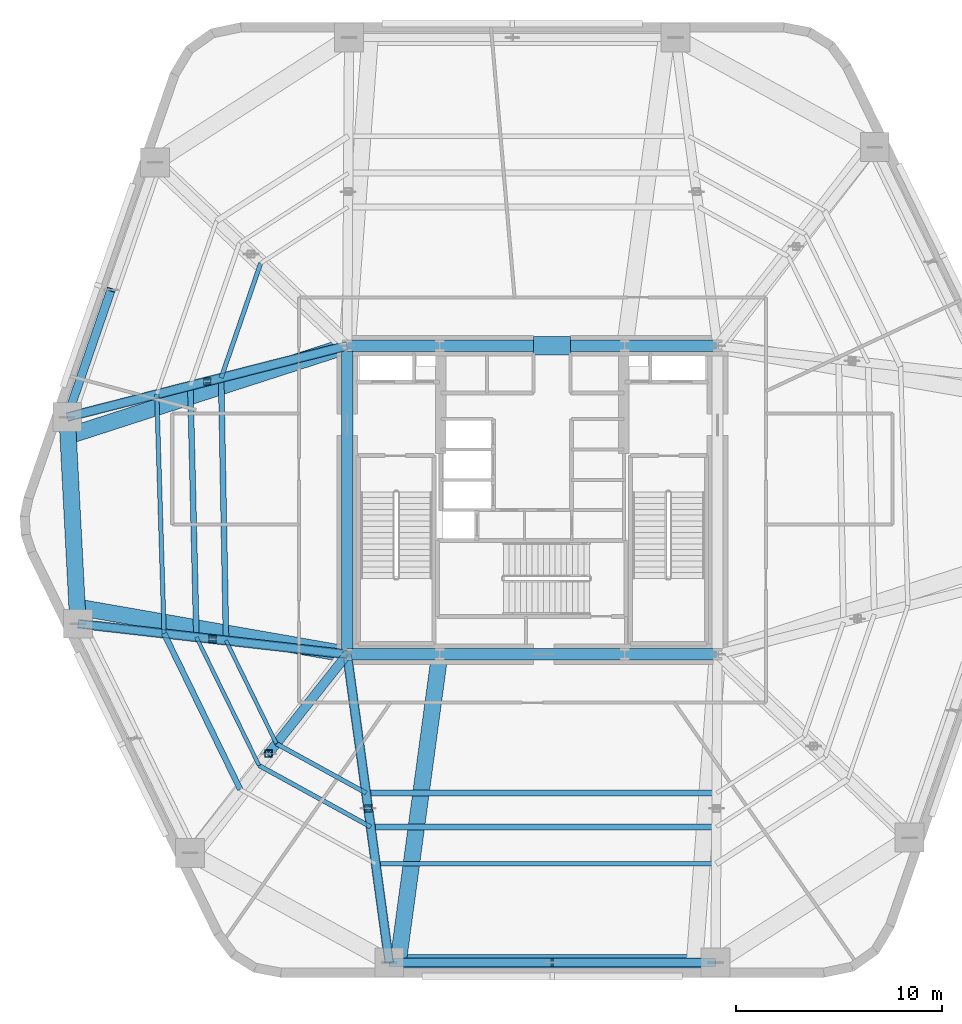
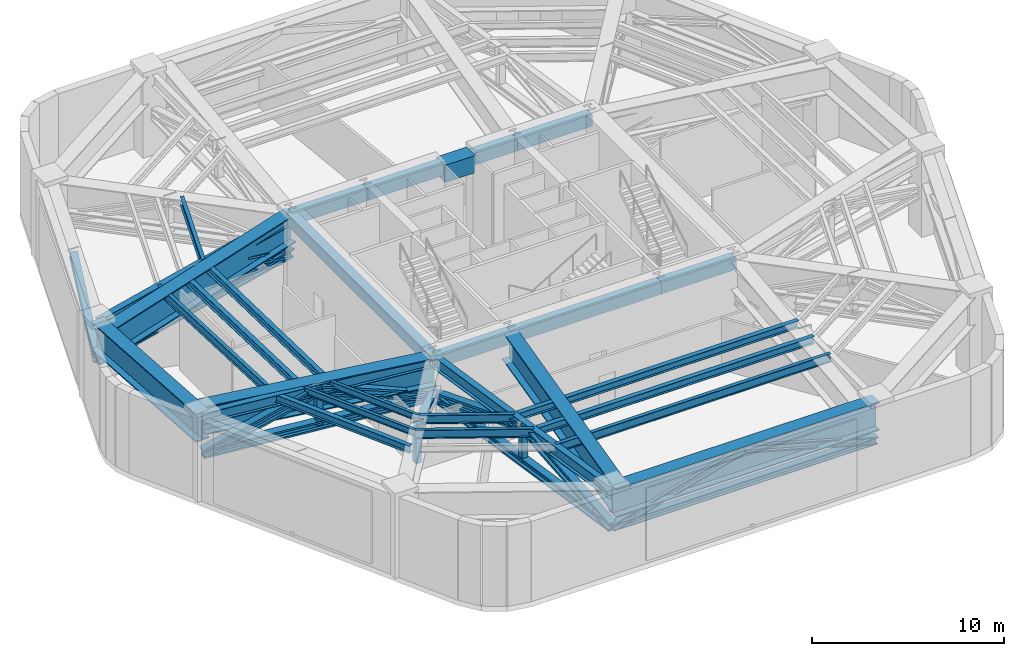
# One storey, part 2 of 11: 28 beams, 18 members.
"""IFC4 building model written with IfcOpenShell, lengths in metres."""

from ifc_helpers import new_model, si_unit, direction, frame, origin, origin_2d, place, context, subcontext, project, spatial, rectangle, hollow_rectangle, i_section, extrude, material, material_profile, profile_set, type_object, element, save


model = new_model("IFC4")

# Units and contexts
model_context = context("Model", 3, precision=1e-05, world=origin(), true_north=direction((0.0, 1.0)))
body_context = subcontext(model_context, "Body", "Model", "MODEL_VIEW")
ifc_project = project(units=[si_unit("LENGTHUNIT", "METRE"), si_unit("AREAUNIT", "SQUARE_METRE"), si_unit("VOLUMEUNIT", "CUBIC_METRE"), si_unit("PLANEANGLEUNIT", "RADIAN"), si_unit("MASSUNIT", "GRAM", prefix="KILO")], contexts=[model_context])

# Site, building, storey
site_placement = place(None, origin())
site = spatial("IfcSite", under=ifc_project, at=site_placement, CompositionType="ELEMENT")
building_placement = place(site_placement, origin())
building = spatial("IfcBuilding", under=site, at=building_placement, Name="Kilnhurst Terrace Hotel", CompositionType="ELEMENT")
storey_placement = place(building_placement, frame((0.0, 0.0, 86.0)))
storey = spatial("IfcBuildingStorey", under=building, at=storey_placement, Name="L20", CompositionType="ELEMENT", Elevation=86.0)

# Beams
ifc_material_1 = material(Name="Concrete C50/60", Category="concrete")
ifc_material_profile_1 = material_profile(ifc_material_1, rectangle(XDim=0.550048828125, YDim=0.75, at=origin_2d()), Name="RC550X750")
ifc_profile_set_1 = profile_set([ifc_material_profile_1], Name="Concrete C50/60")
beam_type_1 = type_object("IfcBeamType", Name="BM-SPN-550X750", PredefinedType="SPANDREL", material=ifc_profile_set_1)
beam_1_placement = place(storey_placement, frame((-9.0, 7.5, 4.72509765625), z_axis=(1.0, 0.0, 0.0), x_axis=(0.0, 1.0, 0.0)))
element("IfcBeam", 1, at=beam_1_placement, inside=storey, type_object=beam_type_1, Name="L20 Core Tie Beam CC-NW to CC-NC1", PredefinedType="SPANDREL", context=body_context, shape_type="SweptSolid", body=[
    extrude(rectangle(XDim=0.550048828125, YDim=0.75, at=origin_2d()), origin(), (0.0, 0.0, 1.0), 4.5),
])
beam_2_placement = place(storey_placement, frame((-4.5, 7.5, 4.72509765625), z_axis=(1.0, 0.0, 0.0), x_axis=(0.0, 1.0, 0.0)))
element("IfcBeam", 2, at=beam_2_placement, inside=storey, type_object=beam_type_1, Name="L20 Core Tie Beam CC-NC1 to CC-NC2", PredefinedType="SPANDREL", context=body_context, shape_type="SweptSolid", body=[
    extrude(rectangle(XDim=0.550048828125, YDim=0.75, at=origin_2d()), origin(), (0.0, 0.0, 1.0), 9.0),
])
for number, where, z_axis, x_axis, name in (
    (3, (4.5, 7.5, 4.72509765625), (1.0, 0.0, 0.0), (0.0, 1.0, 0.0), "L20 Core Tie Beam CC-NC2 to CC-NE"),
    (4, (-9.0, -7.5, 4.72509765625), (1.0, 0.0, 0.0), (0.0, 1.0, 0.0), "L20 Core Tie Beam CC-SW to CC-SC1"),
):
    element("IfcBeam", number, at=place(storey_placement, frame(where, z_axis=z_axis, x_axis=x_axis)), inside=storey, type_object=beam_type_1, Name=name, PredefinedType="SPANDREL", context=body_context, shape_type="SweptSolid", body=[
        extrude(rectangle(XDim=0.550048828125, YDim=0.75, at=origin_2d()), origin(), (0.0, 0.0, 1.0), 4.5),
    ])
beam_3_placement = place(storey_placement, frame((-4.5, -7.5, 4.72509765625), z_axis=(1.0, 0.0, 0.0), x_axis=(0.0, 1.0, 0.0)))
element("IfcBeam", 5, at=beam_3_placement, inside=storey, type_object=beam_type_1, Name="L20 Core Tie Beam CC-SC1 to CC-SC2", PredefinedType="SPANDREL", context=body_context, shape_type="SweptSolid", body=[
    extrude(rectangle(XDim=0.550048828125, YDim=0.75, at=origin_2d()), origin(), (0.0, 0.0, 1.0), 9.0),
])
beam_4_placement = place(storey_placement, frame((4.5, -7.5, 4.72509765625), z_axis=(1.0, 0.0, 0.0), x_axis=(0.0, 1.0, 0.0)))
element("IfcBeam", 6, at=beam_4_placement, inside=storey, type_object=beam_type_1, Name="L20 Core Tie Beam CC-SC2 to CC-SE", PredefinedType="SPANDREL", context=body_context, shape_type="SweptSolid", body=[
    extrude(rectangle(XDim=0.550048828125, YDim=0.75, at=origin_2d()), origin(), (0.0, 0.0, 1.0), 4.5),
])
beam_5_placement = place(storey_placement, frame((-9.0, -7.5, 4.72509765625), z_axis=(0.0, 1.0, 0.0), x_axis=(-1.0, 0.0, 0.0)))
element("IfcBeam", 7, at=beam_5_placement, inside=storey, type_object=beam_type_1, Name="L20 Core Tie Beam CC-SW to CC-NW", PredefinedType="SPANDREL", context=body_context, shape_type="SweptSolid", body=[
    extrude(rectangle(XDim=0.550048828125, YDim=0.75, at=origin_2d()), origin(), (0.0, 0.0, 1.0), 15.0),
])
ifc_material_2 = material(Name="Steel ASTM A992 Grade 50", Category="steel")
ifc_material_profile_2 = material_profile(ifc_material_2, i_section(OverallWidth=0.354736328125, OverallDepth=0.695556640625, WebThickness=0.015380859375, FlangeThickness=0.025146484375, at=origin_2d()), Name="W27X146")
ifc_profile_set_2 = profile_set([ifc_material_profile_2], Name="Steel ASTM A992 Grade 50")
beam_type_2 = type_object("IfcBeamType", Name="BM-STL-W27X146", PredefinedType="BEAM", material=ifc_profile_set_2)
beam_6_placement = place(storey_placement, frame((-9.0, -7.5, 4.751953125), z_axis=(-0.993611493249, 0.112854776075, 0.0), x_axis=(-0.112854776075, -0.993611493249, 0.0)))
element("IfcBeam", 8, at=beam_6_placement, inside=storey, type_object=beam_type_2, Name="L20 Radial Floor Beam 11", PredefinedType="BEAM", context=body_context, shape_type="SweptSolid", body=[
    extrude(i_section(OverallWidth=0.354736328125, OverallDepth=0.695556640625, WebThickness=0.015380859375, FlangeThickness=0.025146484375, at=origin_2d()), origin(), (0.0, 0.0, 1.0), 13.168212890625),
])
ifc_material_profile_3 = material_profile(ifc_material_2, i_section(OverallWidth=0.380615234375, OverallDepth=0.773193359375, WebThickness=0.0166015625, FlangeThickness=0.027099609375, at=origin_2d()), Name="W30X173")
ifc_profile_set_3 = profile_set([ifc_material_profile_3], Name="Steel ASTM A992 Grade 50")
beam_type_3 = type_object("IfcBeamType", Name="BM-STL-W30X173", PredefinedType="BEAM", material=ifc_profile_set_3)
beam_7_placement = place(storey_placement, frame((-9.0, -7.5, 4.712890625), z_axis=(0.13525588246, -0.990810701527, 0.0), x_axis=(0.990810701527, 0.13525588246, 0.0)))
element("IfcBeam", 9, at=beam_7_placement, inside=storey, type_object=beam_type_3, Name="L20 Radial Floor Beam 1", PredefinedType="BEAM", context=body_context, shape_type="SweptSolid", body=[
    extrude(i_section(OverallWidth=0.380615234375, OverallDepth=0.773193359375, WebThickness=0.0166015625, FlangeThickness=0.027099609375, at=origin_2d()), origin(), (0.0, 0.0, 1.0), 15.118896484375),
])
beam_8_placement = place(storey_placement, frame((-9.0, 7.5, 4.712890625), z_axis=(-0.968980179812, -0.247138445273, 0.0), x_axis=(0.247138445273, -0.968980179812, 0.0)))
element("IfcBeam", 10, at=beam_8_placement, inside=storey, type_object=beam_type_3, Name="L20 Radial Floor Beam 10", PredefinedType="BEAM", context=body_context, shape_type="SweptSolid", body=[
    extrude(i_section(OverallWidth=0.380615234375, OverallDepth=0.773193359375, WebThickness=0.0166015625, FlangeThickness=0.027099609375, at=origin_2d()), origin(), (0.0, 0.0, 1.0), 14.04443359375),
])
ifc_material_profile_4 = material_profile(ifc_material_2, i_section(OverallWidth=0.180908203125, OverallDepth=0.417236328125, WebThickness=0.010986328125, FlangeThickness=0.018310546875, at=origin_2d()), Name="W16X57")
ifc_profile_set_4 = profile_set([ifc_material_profile_4], Name="Steel ASTM A992 Grade 50")
beam_type_4 = type_object("IfcBeamType", Name="JST-STL-W16X57", PredefinedType="JOIST", material=ifc_profile_set_4)
beam_9_placement = place(storey_placement, frame((-14.8876953125, -6.831298828125, 4.89111328125), z_axis=(0.438896112695, -0.898537813484, 0.0), x_axis=(0.898537813484, 0.438896112695, 0.0)))
element("IfcBeam", 11, at=beam_9_placement, inside=storey, type_object=beam_type_4, Name="L20 Secondary Floor Steel Joist IN.11", PredefinedType="JOIST", context=body_context, shape_type="SweptSolid", body=[
    extrude(i_section(OverallWidth=0.180908203125, OverallDepth=0.417236328125, WebThickness=0.010986328125, FlangeThickness=0.018310546875, at=origin_2d()), origin(), (0.0, 0.0, 1.0), 5.578125),
])
beam_10_placement = place(storey_placement, frame((-16.326904296875, -6.667724609375, 4.89111328125), z_axis=(0.438922469067, -0.89852493908, 0.0), x_axis=(0.89852493908, 0.438922469067, 0.0)))
element("IfcBeam", 12, at=beam_10_placement, inside=storey, type_object=beam_type_4, Name="L20 Secondary Floor Steel Joist MID.11", PredefinedType="JOIST", context=body_context, shape_type="SweptSolid", body=[
    extrude(i_section(OverallWidth=0.180908203125, OverallDepth=0.417236328125, WebThickness=0.010986328125, FlangeThickness=0.018310546875, at=origin_2d()), origin(), (0.0, 0.0, 1.0), 6.941650390625),
])
ifc_material_profile_5 = material_profile(ifc_material_2, i_section(OverallWidth=0.279296875, OverallDepth=0.462890625, WebThickness=0.0107421875, FlangeThickness=0.017333984375, at=origin_2d()), Name="W18X76")
ifc_profile_set_5 = profile_set([ifc_material_profile_5], Name="Steel ASTM A992 Grade 50")
beam_type_5 = type_object("IfcBeamType", Name="JST-STL-W18X76", PredefinedType="JOIST", material=ifc_profile_set_5)
beam_11_placement = place(storey_placement, frame((-17.897216796875, -6.489501953125, 4.867919921875), z_axis=(0.438934275949, -0.898519171413, 0.0), x_axis=(0.898519171413, 0.438934275949, 0.0)))
element("IfcBeam", 13, at=beam_11_placement, inside=storey, type_object=beam_type_5, Name="L20 Secondary Floor Steel Joist OUT.11", PredefinedType="JOIST", context=body_context, shape_type="SweptSolid", body=[
    extrude(i_section(OverallWidth=0.279296875, OverallDepth=0.462890625, WebThickness=0.0107421875, FlangeThickness=0.017333984375, at=origin_2d()), origin(), (0.0, 0.0, 1.0), 8.429443359375),
])
beam_12_placement = place(storey_placement, frame((-8.079833984375, -14.240966796875, 4.867919921875), z_axis=(1.0, 0.0, 0.0), x_axis=(0.0, 1.0, 0.0)))
element("IfcBeam", 14, at=beam_12_placement, inside=storey, type_object=beam_type_5, Name="L20 Secondary Floor Steel Joist IN.1", PredefinedType="JOIST", context=body_context, shape_type="SweptSolid", body=[
    extrude(i_section(OverallWidth=0.279296875, OverallDepth=0.462890625, WebThickness=0.0107421875, FlangeThickness=0.017333984375, at=origin_2d()), origin(), (0.0, 0.0, 1.0), 17.037109375),
])
beam_13_placement = place(storey_placement, frame((-15.1240234375, 5.93798828125, 4.867919921875), z_axis=(0.018504373716, -0.999828779418, 0.0), x_axis=(0.999828779418, 0.018504373716, 0.0)))
element("IfcBeam", 15, at=beam_13_placement, inside=storey, type_object=beam_type_5, Name="L20 Secondary Floor Steel Joist IN.10", PredefinedType="JOIST", context=body_context, shape_type="SweptSolid", body=[
    extrude(i_section(OverallWidth=0.279296875, OverallDepth=0.462890625, WebThickness=0.0107421875, FlangeThickness=0.017333984375, at=origin_2d()), origin(), (0.0, 0.0, 1.0), 12.771484375),
])
beam_14_placement = place(storey_placement, frame((-7.854736328125, -15.888916015625, 4.867919921875), z_axis=(1.0, 0.0, 0.0), x_axis=(0.0, 1.0, 0.0)))
element("IfcBeam", 16, at=beam_14_placement, inside=storey, type_object=beam_type_5, Name="L20 Secondary Floor Steel Joist MID.1", PredefinedType="JOIST", context=body_context, shape_type="SweptSolid", body=[
    extrude(i_section(OverallWidth=0.279296875, OverallDepth=0.462890625, WebThickness=0.0107421875, FlangeThickness=0.017333984375, at=origin_2d()), origin(), (0.0, 0.0, 1.0), 16.801513671875),
])
beam_15_placement = place(storey_placement, frame((-16.62109375, 5.55615234375, 4.867919921875), z_axis=(0.024059820994, -0.999710520608, 0.0), x_axis=(0.999710520608, 0.024059820994, 0.0)))
element("IfcBeam", 17, at=beam_15_placement, inside=storey, type_object=beam_type_5, Name="L20 Secondary Floor Steel Joist MID.10", PredefinedType="JOIST", context=body_context, shape_type="SweptSolid", body=[
    extrude(i_section(OverallWidth=0.279296875, OverallDepth=0.462890625, WebThickness=0.0107421875, FlangeThickness=0.017333984375, at=origin_2d()), origin(), (0.0, 0.0, 1.0), 12.227294921875),
])
ifc_material_profile_6 = material_profile(ifc_material_2, i_section(OverallWidth=0.2138671875, OverallDepth=0.549072265625, WebThickness=0.0146484375, FlangeThickness=0.023681640625, at=origin_2d()), Name="W21X93")
ifc_profile_set_6 = profile_set([ifc_material_profile_6], Name="Steel ASTM A992 Grade 50")
beam_type_6 = type_object("IfcBeamType", Name="JST-STL-W21X93", PredefinedType="JOIST", material=ifc_profile_set_6)
beam_16_placement = place(storey_placement, frame((-7.609375, -17.686279296875, 4.824951171875), z_axis=(1.0, 0.0, 0.0), x_axis=(0.0, 1.0, 0.0)))
element("IfcBeam", 18, at=beam_16_placement, inside=storey, type_object=beam_type_6, Name="L20 Secondary Floor Steel Joist OUT.1", PredefinedType="JOIST", context=body_context, shape_type="SweptSolid", body=[
    extrude(i_section(OverallWidth=0.2138671875, OverallDepth=0.549072265625, WebThickness=0.0146484375, FlangeThickness=0.023681640625, at=origin_2d()), origin(), (0.0, 0.0, 1.0), 16.544677734375),
])
beam_17_placement = place(storey_placement, frame((-18.254150390625, 5.1396484375, 4.824951171875), z_axis=(0.030678559818, -0.999529302206, 0.0), x_axis=(0.999529302206, 0.030678559818, 0.0)))
element("IfcBeam", 19, at=beam_17_placement, inside=storey, type_object=beam_type_6, Name="L20 Secondary Floor Steel Joist OUT.10", PredefinedType="JOIST", context=body_context, shape_type="SweptSolid", body=[
    extrude(i_section(OverallWidth=0.2138671875, OverallDepth=0.549072265625, WebThickness=0.0146484375, FlangeThickness=0.023681640625, at=origin_2d()), origin(), (0.0, 0.0, 1.0), 11.634521484375),
])
beam_18_placement = place(storey_placement, frame((-13.2021484375, 11.510009765625, 4.824951171875), z_axis=(-0.326064720391, -0.945347448358, 0.0), x_axis=(0.945347448358, -0.326064720391, 0.0)))
element("IfcBeam", 20, at=beam_18_placement, inside=storey, type_object=beam_type_6, Name="L20 Secondary Floor Steel Joist IN.9", PredefinedType="JOIST", context=body_context, shape_type="SweptSolid", body=[
    extrude(i_section(OverallWidth=0.2138671875, OverallDepth=0.549072265625, WebThickness=0.0146484375, FlangeThickness=0.023681640625, at=origin_2d()), origin(), (0.0, 0.0, 1.0), 5.89404296875),
])
beam_19_placement = place(storey_placement, frame((-12.439453125, -11.843505859375, 4.824951171875), z_axis=(0.876243879955, -0.481867889408, 0.0), x_axis=(0.481867889408, 0.876243879955, 0.0)))
element("IfcBeam", 21, at=beam_19_placement, inside=storey, type_object=beam_type_6, Name="L20 Secondary Floor Steel Joist IN.12", PredefinedType="JOIST", context=body_context, shape_type="SweptSolid", body=[
    extrude(i_section(OverallWidth=0.2138671875, OverallDepth=0.549072265625, WebThickness=0.0146484375, FlangeThickness=0.023681640625, at=origin_2d()), origin(), (0.0, 0.0, 1.0), 4.975341796875),
])
beam_20_placement = place(storey_placement, frame((-13.280029296875, -12.905029296875, 4.824951171875), z_axis=(0.87621757367, -0.4819157225, 0.0), x_axis=(0.4819157225, 0.87621757367, 0.0)))
element("IfcBeam", 22, at=beam_20_placement, inside=storey, type_object=beam_type_6, Name="L20 Secondary Floor Steel Joist MID.12", PredefinedType="JOIST", context=body_context, shape_type="SweptSolid", body=[
    extrude(i_section(OverallWidth=0.2138671875, OverallDepth=0.549072265625, WebThickness=0.0146484375, FlangeThickness=0.023681640625, at=origin_2d()), origin(), (0.0, 0.0, 1.0), 6.191650390625),
])
ifc_material_3 = material(Name="Concrete C80/95", Category="concrete")
ifc_material_profile_7 = material_profile(ifc_material_3, rectangle(XDim=0.89990234375, YDim=1.10009765625, at=origin_2d()), Name="RC900X1100")
ifc_profile_set_7 = profile_set([ifc_material_profile_7], Name="Concrete C80/95")
beam_type_7 = type_object("IfcBeamType", Name="LNT-CB-900X1100", PredefinedType="LINTEL", material=ifc_profile_set_7)
beam_21_placement = place(storey_placement, frame((0.050048828125, 7.5, 4.550048828125), z_axis=(1.0, 0.0, 0.0), x_axis=(0.0, 1.0, 0.0)))
element("IfcBeam", 23, at=beam_21_placement, inside=storey, type_object=beam_type_7, Name="L20 North Core Coupling Link Beam", PredefinedType="LINTEL", context=body_context, shape_type="SweptSolid", body=[
    extrude(rectangle(XDim=0.89990234375, YDim=1.10009765625, at=origin_2d()), origin(), (0.0, 0.0, 1.0), 1.800048828125),
])

# Members
ifc_material_profile_8 = material_profile(ifc_material_2, i_section(OverallWidth=0.41845703125, OverallDepth=0.455078125, WebThickness=0.0419921875, FlangeThickness=0.067626953125, at=origin_2d()), Name="W14X370")
ifc_profile_set_8 = profile_set([ifc_material_profile_8], Name="Steel ASTM A992 Grade 50")
member_type_1 = type_object("IfcMemberType", Name="MEM-BLT-DIAG-370", PredefinedType="BRACE", material=ifc_profile_set_8)
member_1_placement = place(storey_placement, frame((-6.955078125, -22.47998046875, 2.52001953125), z_axis=(0.962663008488, 0.0, 0.270702663615), x_axis=(0.0, 1.0, 0.0)))
element("IfcMember", 24, at=member_1_placement, inside=storey, type_object=member_type_1, Name="L20 Belt Truss Left Diagonal 1", PredefinedType="BRACE", context=body_context, shape_type="SweptSolid", body=[
    extrude(i_section(OverallWidth=0.41845703125, OverallDepth=0.455078125, WebThickness=0.0419921875, FlangeThickness=0.067626953125, at=origin_2d()), origin(), (0.0, 0.0, 1.0), 8.23779296875),
])
member_2_placement = place(storey_placement, frame((8.905029296875, -22.47998046875, 2.52001953125), z_axis=(-0.962660836612, 0.0, 0.270710387045), x_axis=(0.0, -1.0, 0.0)))
element("IfcMember", 25, at=member_2_placement, inside=storey, type_object=member_type_1, Name="L20 Belt Truss Right Diagonal 1", PredefinedType="BRACE", context=body_context, shape_type="SweptSolid", body=[
    extrude(i_section(OverallWidth=0.41845703125, OverallDepth=0.455078125, WebThickness=0.0419921875, FlangeThickness=0.067626953125, at=origin_2d()), origin(), (0.0, 0.0, 1.0), 8.237548828125),
])
member_3_placement = place(storey_placement, frame((-22.60888671875, 4.029052734375, 2.52001953125), z_axis=(0.308585265865, 0.894911387443, 0.322348789846), x_axis=(-0.94537456636, 0.325986087556, 0.0)))
element("IfcMember", 26, at=member_3_placement, inside=storey, type_object=member_type_1, Name="L20 Belt Truss Right Diagonal 5", PredefinedType="BRACE", context=body_context, shape_type="SweptSolid", body=[
    extrude(i_section(OverallWidth=0.41845703125, OverallDepth=0.455078125, WebThickness=0.0419921875, FlangeThickness=0.067626953125, at=origin_2d()), origin(), (0.0, 0.0, 1.0), 6.91796875),
])
ifc_material_profile_9 = material_profile(ifc_material_2, i_section(OverallWidth=0.40625, OverallDepth=0.416015625, WebThickness=0.02978515625, FlangeThickness=0.048095703125, at=origin_2d()), Name="W14X257")
ifc_profile_set_9 = profile_set([ifc_material_profile_9], Name="Steel ASTM A992 Grade 50")
member_type_2 = type_object("IfcMemberType", Name="MEM-CHD-W14X257", PredefinedType="CHORD", material=ifc_profile_set_9)
member_4_placement = place(storey_placement, frame((-6.955078125, -22.47998046875, 2.52001953125), z_axis=(1.0, 0.0, 0.0), x_axis=(0.0, 1.0, 0.0)))
element("IfcMember", 27, at=member_4_placement, inside=storey, type_object=member_type_2, Name="L20 Belt Truss Bottom Chord 1", PredefinedType="CHORD", context=body_context, shape_type="SweptSolid", body=[
    extrude(i_section(OverallWidth=0.40625, OverallDepth=0.416015625, WebThickness=0.02978515625, FlangeThickness=0.048095703125, at=origin_2d()), origin(), (0.0, 0.0, 1.0), 15.860107421875),
])
ifc_material_profile_10 = material_profile(ifc_material_2, i_section(OverallWidth=0.44189453125, OverallDepth=0.531494140625, WebThickness=0.06591796875, FlangeThickness=0.105712890625, at=origin_2d()), Name="W14X605")
ifc_profile_set_10 = profile_set([ifc_material_profile_10], Name="Steel ASTM A992 Grade 50")
member_type_3 = type_object("IfcMemberType", Name="MEM-CHD-W14X605", PredefinedType="CHORD", material=ifc_profile_set_10)
member_5_placement = place(storey_placement, frame((-9.0, -7.5, 2.52001953125), z_axis=(0.13525588246, -0.990810701527, 0.0), x_axis=(0.990810701527, 0.13525588246, 0.0)))
element("IfcMember", 28, at=member_5_placement, inside=storey, type_object=member_type_3, Name="L20 Outrigger Bottom Chord 1", PredefinedType="CHORD", context=body_context, shape_type="SweptSolid", body=[
    extrude(i_section(OverallWidth=0.44189453125, OverallDepth=0.531494140625, WebThickness=0.06591796875, FlangeThickness=0.105712890625, at=origin_2d()), origin(), (0.0, 0.0, 1.0), 15.118896484375),
])
member_6_placement = place(storey_placement, frame((-9.0, 7.5, 2.52001953125), z_axis=(-0.968980179812, -0.247138445273, 0.0), x_axis=(0.247138445273, -0.968980179812, 0.0)))
element("IfcMember", 29, at=member_6_placement, inside=storey, type_object=member_type_3, Name="L20 Outrigger Bottom Chord 10", PredefinedType="CHORD", context=body_context, shape_type="SweptSolid", body=[
    extrude(i_section(OverallWidth=0.44189453125, OverallDepth=0.531494140625, WebThickness=0.06591796875, FlangeThickness=0.105712890625, at=origin_2d()), origin(), (0.0, 0.0, 1.0), 14.04443359375),
])
member_7_placement = place(storey_placement, frame((-9.0, -7.5, 2.52001953125), z_axis=(-0.993611493249, 0.112854776075, 0.0), x_axis=(-0.112854776075, -0.993611493249, 0.0)))
element("IfcMember", 30, at=member_7_placement, inside=storey, type_object=member_type_3, Name="L20 Outrigger Bottom Chord 11", PredefinedType="CHORD", context=body_context, shape_type="SweptSolid", body=[
    extrude(i_section(OverallWidth=0.44189453125, OverallDepth=0.531494140625, WebThickness=0.06591796875, FlangeThickness=0.105712890625, at=origin_2d()), origin(), (0.0, 0.0, 1.0), 13.168212890625),
])
ifc_material_profile_11 = material_profile(ifc_material_2, i_section(OverallWidth=0.454345703125, OverallDepth=0.569091796875, WebThickness=0.077880859375, FlangeThickness=0.124755859375, at=origin_2d()), Name="W14X730")
ifc_profile_set_11 = profile_set([ifc_material_profile_11], Name="Steel ASTM A992 Grade 50")
member_type_4 = type_object("IfcMemberType", Name="MEM-OTR-DIAG-730", PredefinedType="BRACE", material=ifc_profile_set_11)
member_8_placement = place(storey_placement, frame((-9.0, -7.5, 2.52001953125), z_axis=(0.129668163194, -0.950331958582, 0.28294051663), x_axis=(0.990819355754, 0.135192471175, 0.0)))
element("IfcMember", 31, at=member_8_placement, inside=storey, type_object=member_type_4, Name="L20 Outrigger Inner Diagonal 1", PredefinedType="BRACE", context=body_context, shape_type="SweptSolid", body=[
    extrude(i_section(OverallWidth=0.454345703125, OverallDepth=0.569091796875, WebThickness=0.077880859375, FlangeThickness=0.124755859375, at=origin_2d()), origin(), (0.0, 0.0, 1.0), 7.88134765625),
])
member_9_placement = place(storey_placement, frame((-7.97802734375, -14.989990234375, 4.75), z_axis=(0.129789983424, -0.950316682929, -0.282935968639), x_axis=(0.990802043392, 0.135319292083, 0.0)))
element("IfcMember", 32, at=member_9_placement, inside=storey, type_object=member_type_4, Name="L20 Outrigger Outer Diagonal 1", PredefinedType="BRACE", context=body_context, shape_type="SweptSolid", body=[
    extrude(i_section(OverallWidth=0.454345703125, OverallDepth=0.569091796875, WebThickness=0.077880859375, FlangeThickness=0.124755859375, at=origin_2d()), origin(), (0.0, 0.0, 1.0), 7.881591796875),
])
member_10_placement = place(storey_placement, frame((-9.0, 7.5, 2.52001953125), z_axis=(-0.923524171948, -0.235610820031, 0.302639464233), x_axis=(0.247203395557, -0.96896361192, 0.0)))
element("IfcMember", 33, at=member_10_placement, inside=storey, type_object=member_type_4, Name="L20 Outrigger Inner Diagonal 10", PredefinedType="BRACE", context=body_context, shape_type="SweptSolid", body=[
    extrude(i_section(OverallWidth=0.454345703125, OverallDepth=0.569091796875, WebThickness=0.077880859375, FlangeThickness=0.124755859375, at=origin_2d()), origin(), (0.0, 0.0, 1.0), 7.368408203125),
])
member_11_placement = place(storey_placement, frame((-15.804931640625, 5.763916015625, 4.75), z_axis=(-0.923540717569, -0.23548316549, -0.302688324456), x_axis=(0.247073482334, -0.968996746294, 0.0)))
element("IfcMember", 34, at=member_11_placement, inside=storey, type_object=member_type_4, Name="L20 Outrigger Outer Diagonal 10", PredefinedType="BRACE", context=body_context, shape_type="SweptSolid", body=[
    extrude(i_section(OverallWidth=0.454345703125, OverallDepth=0.569091796875, WebThickness=0.077880859375, FlangeThickness=0.124755859375, at=origin_2d()), origin(), (0.0, 0.0, 1.0), 7.3671875),
])
for number, where, z_axis, x_axis, name in (
    (35, (-9.0, -7.5, 2.52001953125), (-0.94109995383, 0.106872934748, 0.320794408803), (-0.112836471855, -0.993613572079, 0.0), "L20 Outrigger Inner Diagonal 11"),
    (36, (-15.5419921875, -6.757080078125, 4.75), (-0.941096420875, 0.106907654319, -0.320793204518), (-0.11287308018, -0.993609414091, 0.0), "L20 Outrigger Outer Diagonal 11"),
):
    element("IfcMember", number, at=place(storey_placement, frame(where, z_axis=z_axis, x_axis=x_axis)), inside=storey, type_object=member_type_4, Name=name, PredefinedType="BRACE", context=body_context, shape_type="SweptSolid", body=[
        extrude(i_section(OverallWidth=0.454345703125, OverallDepth=0.569091796875, WebThickness=0.077880859375, FlangeThickness=0.124755859375, at=origin_2d()), origin(), (0.0, 0.0, 1.0), 6.951416015625),
    ])
member_12_placement = place(storey_placement, frame((-9.0, -7.5, 2.52001953125), z_axis=(-0.58373424017, -0.737060027176, 0.340583107615), x_axis=(0.783927596889, -0.620852255239, 0.0)))
element("IfcMember", 37, at=member_12_placement, inside=storey, type_object=member_type_4, Name="L20 Outrigger Inner Diagonal 12", PredefinedType="BRACE", context=body_context, shape_type="SweptSolid", body=[
    extrude(i_section(OverallWidth=0.454345703125, OverallDepth=0.569091796875, WebThickness=0.077880859375, FlangeThickness=0.124755859375, at=origin_2d()), origin(), (0.0, 0.0, 1.0), 6.547607421875),
])
ifc_material_4 = material(Name="Steel ASTM A500 Grade C", Category="steel")
ifc_material_profile_12 = material_profile(ifc_material_4, hollow_rectangle(XDim=0.35009765625, YDim=0.35009765625, WallThickness=0.01611328125, at=origin_2d()), Name="HSS350X350X16")
ifc_profile_set_12 = profile_set([ifc_material_profile_12], Name="Steel ASTM A500 Grade C")
member_type_5 = type_object("IfcMemberType", Name="MEM-STR-HSS350", PredefinedType="STRUT", material=ifc_profile_set_12)
for number, where, z_axis, x_axis, name in (
    (38, (-7.97802734375, -14.989990234375, 2.52001953125), (0.0, 0.0, 1.0), (1.0, 0.0, 0.0), "L20 Outrigger Web Post 1"),
    (39, (-15.804931640625, 5.763916015625, 2.52001953125), (0.0, 0.0, 1.0), (1.0, 0.0, 0.0), "L20 Outrigger Web Post 10"),
    (40, (-15.5419921875, -6.757080078125, 2.52001953125), (0.0, 0.0, 1.0), (1.0, 0.0, 0.0), "L20 Outrigger Web Post 11"),
    (41, (-12.822021484375, -12.325927734375, 2.52001953125), (0.0, 0.0, 1.0), (1.0, 0.0, 0.0), "L20 Outrigger Web Post 12"),
):
    element("IfcMember", number, at=place(storey_placement, frame(where, z_axis=z_axis, x_axis=x_axis)), inside=storey, type_object=member_type_5, Name=name, PredefinedType="STRUT", context=body_context, shape_type="SweptSolid", body=[
        extrude(hollow_rectangle(XDim=0.35009765625, YDim=0.35009765625, WallThickness=0.01611328125, at=origin_2d()), origin(), (0.0, 0.0, 1.0), 2.22998046875),
    ])

# Beams
ifc_material_5 = material(Name="Steel ASTM A572 Grade 50", Category="steel")
ifc_material_profile_13 = material_profile(ifc_material_5, i_section(OverallWidth=0.800048828125, OverallDepth=1.800048828125, WebThickness=0.0400390625, FlangeThickness=0.06494140625, at=origin_2d()), Name="PG1800X800")
ifc_profile_set_13 = profile_set([ifc_material_profile_13], Name="Steel ASTM A572 Grade 50")
beam_type_8 = type_object("IfcBeamType", Name="TG-STEP-1800", PredefinedType="USERDEFINED", material=ifc_profile_set_13)
beam_22_placement = place(storey_placement, frame((-6.955078125, -22.47998046875, 4.199951171875), z_axis=(1.0, 0.0, 0.0), x_axis=(0.0, 1.0, 0.0)))
element("IfcBeam", 42, at=beam_22_placement, inside=storey, type_object=beam_type_8, Name="L20 Zone Step Perimeter Transfer Girder 1", ObjectType="GIRDER", PredefinedType="USERDEFINED", context=body_context, shape_type="SweptSolid", body=[
    extrude(i_section(OverallWidth=0.800048828125, OverallDepth=1.800048828125, WebThickness=0.0400390625, FlangeThickness=0.06494140625, at=origin_2d()), origin(), (0.0, 0.0, 1.0), 15.860107421875),
])
beam_23_placement = place(storey_placement, frame((-22.60888671875, 4.029052734375, 4.199951171875), z_axis=(0.052194414298, -0.998636942595, 0.0), x_axis=(0.998636942595, 0.052194414298, 0.0)))
element("IfcBeam", 43, at=beam_23_placement, inside=storey, type_object=beam_type_8, Name="L20 Zone Step Perimeter Transfer Girder 10", ObjectType="GIRDER", PredefinedType="USERDEFINED", context=body_context, shape_type="SweptSolid", body=[
    extrude(i_section(OverallWidth=0.800048828125, OverallDepth=1.800048828125, WebThickness=0.0400390625, FlangeThickness=0.06494140625, at=origin_2d()), origin(), (0.0, 0.0, 1.0), 10.056640625),
])
beam_24_placement = place(storey_placement, frame((-4.5, -7.5, 4.199951171875), z_axis=(-0.133955619973, -0.990987331845, 0.0), x_axis=(0.990987331845, -0.133955619973, 0.0)))
element("IfcBeam", 44, at=beam_24_placement, inside=storey, type_object=beam_type_8, Name="L20 Zone Step Radial Transfer Girder 1", ObjectType="GIRDER", PredefinedType="USERDEFINED", context=body_context, shape_type="SweptSolid", body=[
    extrude(i_section(OverallWidth=0.800048828125, OverallDepth=1.800048828125, WebThickness=0.0400390625, FlangeThickness=0.06494140625, at=origin_2d()), origin(), (0.0, 0.0, 1.0), 15.1162109375),
])
beam_25_placement = place(storey_placement, frame((-9.0, 7.5, 4.199951171875), z_axis=(-0.951448354736, -0.307808427873, 0.0), x_axis=(0.307808427873, -0.951448354736, 0.0)))
element("IfcBeam", 45, at=beam_25_placement, inside=storey, type_object=beam_type_8, Name="L20 Zone Step Radial Transfer Girder 10", ObjectType="GIRDER", PredefinedType="USERDEFINED", context=body_context, shape_type="SweptSolid", body=[
    extrude(i_section(OverallWidth=0.800048828125, OverallDepth=1.800048828125, WebThickness=0.0400390625, FlangeThickness=0.06494140625, at=origin_2d()), origin(), (0.0, 0.0, 1.0), 14.2529296875),
])
beam_26_placement = place(storey_placement, frame((-9.0, -7.5, 4.199951171875), z_axis=(-0.985070495152, 0.172151443736, 0.0), x_axis=(-0.172151443736, -0.985070495152, 0.0)))
element("IfcBeam", 46, at=beam_26_placement, inside=storey, type_object=beam_type_8, Name="L20 Zone Step Radial Transfer Girder 11", ObjectType="GIRDER", PredefinedType="USERDEFINED", context=body_context, shape_type="SweptSolid", body=[
    extrude(i_section(OverallWidth=0.800048828125, OverallDepth=1.800048828125, WebThickness=0.0400390625, FlangeThickness=0.06494140625, at=origin_2d()), origin(), (0.0, 0.0, 1.0), 13.3251953125),
])

save(model, "model.ifc")
